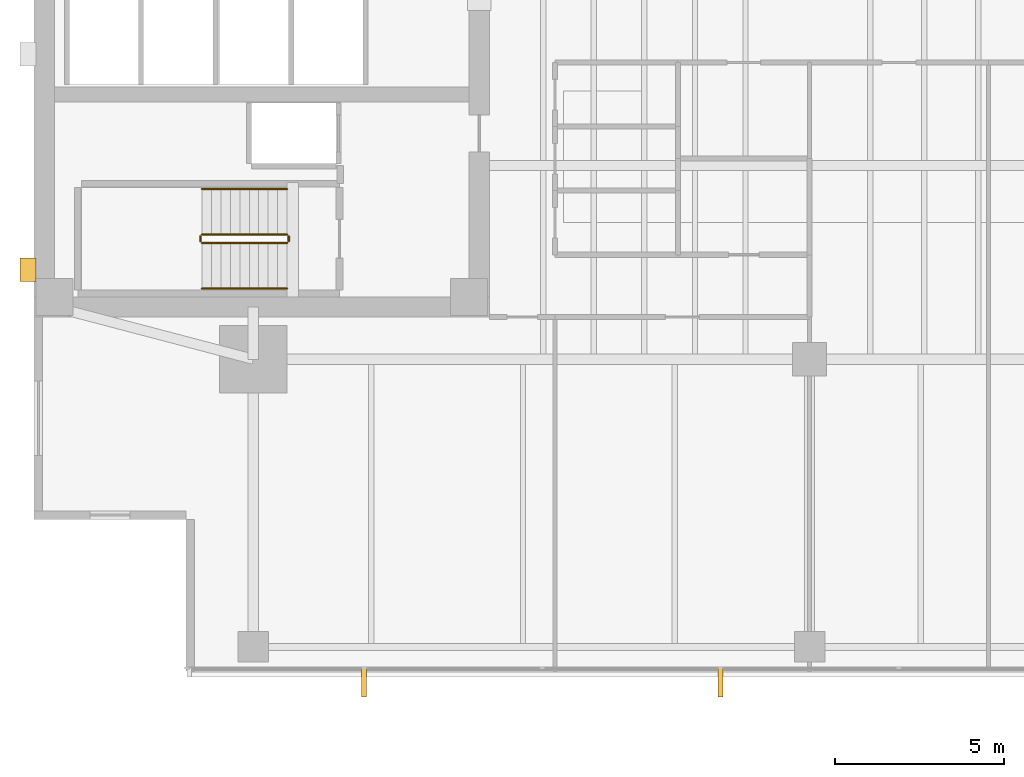
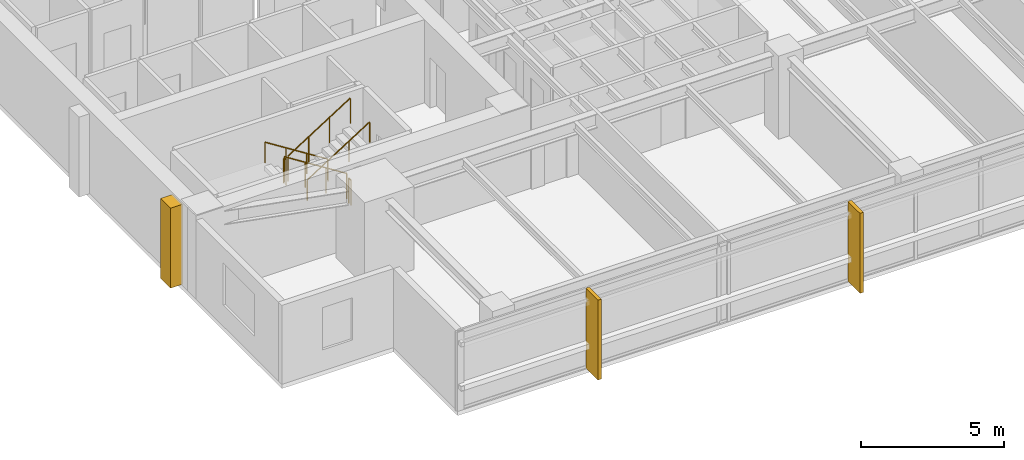
# One storey, part 11 of 14: 6 railings, 3 coverings.
"""IFC4 building model written with IfcOpenShell, lengths in metres."""

from ifc_helpers import new_model, si_unit, direction, frame, origin, origin_2d, place, context, subcontext, project, spatial, polyline, circle, outline, extrude, material, layer, layer_set, type_object, element, save


model = new_model("IFC4")

# Units and contexts
model_context = context("Model", 3, precision=1e-05, world=origin(), true_north=direction((0.0, 1.0)))
body_context = subcontext(model_context, "Body", "Model", "MODEL_VIEW")
ifc_project = project(units=[si_unit("LENGTHUNIT", "METRE"), si_unit("AREAUNIT", "SQUARE_METRE"), si_unit("VOLUMEUNIT", "CUBIC_METRE"), si_unit("PLANEANGLEUNIT", "RADIAN"), si_unit("MASSUNIT", "GRAM", prefix="KILO")], contexts=[model_context])

# Site, building, storey
site_placement = place(None, origin())
site = spatial("IfcSite", under=ifc_project, at=site_placement, CompositionType="ELEMENT")
building_placement = place(site_placement, origin())
building = spatial("IfcBuilding", under=site, at=building_placement, Name="Kinhvarn Gate Tower", CompositionType="ELEMENT")
storey_placement = place(building_placement, frame((0.0, 0.0, 130.64990234375)))
storey = spatial("IfcBuildingStorey", under=building, at=storey_placement, Name="L34", CompositionType="ELEMENT", Elevation=130.64990234375)

# Coverings
ifc_material_1 = material(Name="Fired architectural terracotta", Category="masonry")
ifc_layer_1 = layer(ifc_material_1, 0.139892578125)
ifc_layer_set_1 = layer_set([ifc_layer_1], Name="Fired architectural terracotta")
covering_type_1 = type_object("IfcCoveringType", Name="COV-FIN-850", PredefinedType="CLADDING", material=ifc_layer_set_1)
covering_1_placement = place(storey_placement, frame((0.0, 0.0, -0.02001953125)))
element("IfcCovering", 1, at=covering_1_placement, inside=storey, type_object=covering_type_1, Name="Vertical Terracotta Expressive Fin TFN-850 (L34)", PredefinedType="CLADDING", context=body_context, shape_type="SweptSolid", body=[
    extrude(outline(polyline([(14.2158203125, 3.580078125), (14.355712890625, 3.580078125), (14.355712890625, 2.72998046875), (14.2158203125, 2.72998046875), (14.2158203125, 3.580078125)])), origin(), (0.0, 0.0, 1.0), 3.41015625),
])
covering_2_placement = place(storey_placement, frame((0.0, 0.0, -0.02001953125)))
element("IfcCovering", 2, at=covering_2_placement, inside=storey, type_object=covering_type_1, Name="Vertical Terracotta Expressive Fin TFN-850 (L34)", PredefinedType="CLADDING", context=body_context, shape_type="SweptSolid", body=[
    extrude(outline(polyline([(24.787109375, 3.580078125), (24.927001953125, 3.580078125), (24.927001953125, 2.72998046875), (24.787109375, 2.72998046875), (24.787109375, 3.580078125)])), origin(), (0.0, 0.0, 1.0), 3.41015625),
])
ifc_material_2 = material(Name="Precast white architectural concrete C40/50", Category="concrete")
ifc_layer_2 = layer(ifc_material_2, 0.47998046875)
ifc_layer_set_2 = layer_set([ifc_layer_2], Name="Precast white architectural concrete C40/50")
covering_type_2 = type_object("IfcCoveringType", Name="COV-RIB-450", PredefinedType="CLADDING", material=ifc_layer_set_2)
covering_3_placement = place(storey_placement, frame((0.0, 0.0, -0.02001953125)))
element("IfcCovering", 3, at=covering_3_placement, inside=storey, type_object=covering_type_2, Name="West Core Sculptural Concrete Relief Rib CRB-450 (L34)", PredefinedType="CLADDING", context=body_context, shape_type="SweptSolid", body=[
    extrude(outline(polyline([(4.080078125, 15.050048828125), (4.56005859375, 15.050048828125), (4.56005859375, 15.75), (4.080078125, 15.75), (4.080078125, 15.050048828125)])), origin(), (0.0, 0.0, 1.0), 3.41015625),
])

# Railings
ifc_material_3 = material(Name="Steel S355", Category="steel")
railing_type_1 = type_object("IfcRailingType", Name="RL-ST-GRD", PredefinedType="BALUSTRADE", material=ifc_material_3)
railing_1_placement = place(storey_placement, frame((12.0, 16.449951171875, 0.177490234375)))
element("IfcRailing", 4, at=railing_1_placement, inside=storey, type_object=railing_type_1, Name="L34 ST1 stair guard 1", PredefinedType="BALUSTRADE", context=body_context, shape_type="SweptSolid", body=[
    extrude(circle(Radius=0.02392578125, at=origin_2d()), frame((0.0, 0.0, 1.076171875), z_axis=(-0.84456994832, 0.0, 0.535445237532), x_axis=(0.0, -1.0, 0.0)), (0.0, 0.0, 1.0), 2.98388671875),
    extrude(circle(Radius=0.02099609375, at=origin_2d()), origin(), (0.0, 0.0, 1.0), 1.052001953125),
    extrude(circle(Radius=0.02099609375, at=origin_2d()), frame((-0.840087890625, 0.0, 0.532470703125)), (0.0, 0.0, 1.0), 1.052001953125),
    extrude(circle(Radius=0.02099609375, at=origin_2d()), frame((-1.679931640625, 0.0, 1.065185546875)), (0.0, 0.0, 1.0), 1.052001953125),
    extrude(circle(Radius=0.02099609375, at=origin_2d()), frame((-2.52001953125, 0.0, 1.59765625)), (0.0, 0.0, 1.0), 1.052001953125),
])
railing_2_placement = place(storey_placement, frame((9.429931640625, 16.39990234375, 1.775146484375)))
element("IfcRailing", 5, at=railing_2_placement, inside=storey, type_object=railing_type_1, Name="L34 ST1 stair guard 2", PredefinedType="BALUSTRADE", context=body_context, shape_type="SweptSolid", body=[
    extrude(circle(Radius=0.02392578125, at=origin_2d()), frame((0.0, 0.0, 1.076171875), z_axis=(0.0, -1.0, 0.0), x_axis=(1.0, 0.0, 0.0)), (0.0, 0.0, 1.0), 0.14990234375),
    extrude(circle(Radius=0.02099609375, at=origin_2d()), origin(), (0.0, 0.0, 1.0), 1.052001953125),
    extrude(circle(Radius=0.02099609375, at=origin_2d()), frame((0.0, -0.14990234375, 0.0)), (0.0, 0.0, 1.0), 1.052001953125),
])
railing_3_placement = place(storey_placement, frame((9.47998046875, 16.199951171875, 1.95263671875)))
element("IfcRailing", 6, at=railing_3_placement, inside=storey, type_object=railing_type_1, Name="L34 ST1 stair guard 3", PredefinedType="BALUSTRADE", context=body_context, shape_type="SweptSolid", body=[
    extrude(circle(Radius=0.02392578125, at=origin_2d()), frame((0.0, 0.0, 1.076171875), z_axis=(0.84460694969, 0.0, 0.535386869969), x_axis=(0.0, 1.0, 0.0)), (0.0, 0.0, 1.0), 2.983642578125),
    extrude(circle(Radius=0.02099609375, at=origin_2d()), origin(), (0.0, 0.0, 1.0), 1.052001953125),
    extrude(circle(Radius=0.02099609375, at=origin_2d()), frame((0.840087890625, 0.0, 0.532470703125)), (0.0, 0.0, 1.0), 1.052001953125),
    extrude(circle(Radius=0.02099609375, at=origin_2d()), frame((1.679931640625, 0.0, 1.06494140625)), (0.0, 0.0, 1.0), 1.052001953125),
    extrude(circle(Radius=0.02099609375, at=origin_2d()), frame((2.52001953125, 0.0, 1.597412109375)), (0.0, 0.0, 1.0), 1.052001953125),
])
railing_4_placement = place(storey_placement, frame((12.050048828125, 16.39990234375, 0.0)))
element("IfcRailing", 7, at=railing_4_placement, inside=storey, type_object=railing_type_1, Name="L34 ST1 stair guard 4", PredefinedType="BALUSTRADE", context=body_context, shape_type="SweptSolid", body=[
    extrude(circle(Radius=0.02392578125, at=origin_2d()), frame((0.0, 0.0, 1.076171875), z_axis=(0.0, -1.0, 0.0), x_axis=(1.0, 0.0, 0.0)), (0.0, 0.0, 1.0), 0.14990234375),
    extrude(circle(Radius=0.02099609375, at=origin_2d()), origin(), (0.0, 0.0, 1.0), 1.052001953125),
    extrude(circle(Radius=0.02099609375, at=origin_2d()), frame((0.0, -0.14990234375, 0.0)), (0.0, 0.0, 1.0), 1.052001953125),
])
railing_type_2 = type_object("IfcRailingType", Name="RL-ST-HND", PredefinedType="HANDRAIL", material=ifc_material_3)
railing_5_placement = place(storey_placement, frame((12.0, 17.800048828125, 0.177490234375)))
element("IfcRailing", 8, at=railing_5_placement, inside=storey, type_object=railing_type_2, Name="L34 ST1 stair handrail 1", PredefinedType="HANDRAIL", context=body_context, shape_type="SweptSolid", body=[
    extrude(circle(Radius=0.02392578125, at=origin_2d()), frame((0.0, 0.0, 0.8759765625), z_axis=(-0.84456994832, 0.0, 0.535445237532), x_axis=(0.0, -1.0, 0.0)), (0.0, 0.0, 1.0), 2.98388671875),
    extrude(circle(Radius=0.02099609375, at=origin_2d()), origin(), (0.0, 0.0, 1.0), 0.851806640625),
    extrude(circle(Radius=0.02099609375, at=origin_2d()), frame((-0.840087890625, 0.0, 0.532470703125)), (0.0, 0.0, 1.0), 0.851806640625),
    extrude(circle(Radius=0.02099609375, at=origin_2d()), frame((-1.679931640625, 0.0, 1.065185546875)), (0.0, 0.0, 1.0), 0.851806640625),
    extrude(circle(Radius=0.02099609375, at=origin_2d()), frame((-2.52001953125, 0.0, 1.59765625)), (0.0, 0.0, 1.0), 0.851806640625),
])
railing_6_placement = place(storey_placement, frame((9.47998046875, 14.85009765625, 1.95263671875)))
element("IfcRailing", 9, at=railing_6_placement, inside=storey, type_object=railing_type_2, Name="L34 ST1 stair handrail 2", PredefinedType="HANDRAIL", context=body_context, shape_type="SweptSolid", body=[
    extrude(circle(Radius=0.02392578125, at=origin_2d()), frame((0.0, 0.0, 0.8759765625), z_axis=(0.84460694969, 0.0, 0.535386869969), x_axis=(0.0, 1.0, 0.0)), (0.0, 0.0, 1.0), 2.983642578125),
    extrude(circle(Radius=0.02099609375, at=origin_2d()), origin(), (0.0, 0.0, 1.0), 0.851806640625),
    extrude(circle(Radius=0.02099609375, at=origin_2d()), frame((0.840087890625, 0.0, 0.532470703125)), (0.0, 0.0, 1.0), 0.851806640625),
    extrude(circle(Radius=0.02099609375, at=origin_2d()), frame((1.679931640625, 0.0, 1.06494140625)), (0.0, 0.0, 1.0), 0.851806640625),
    extrude(circle(Radius=0.02099609375, at=origin_2d()), frame((2.52001953125, 0.0, 1.597412109375)), (0.0, 0.0, 1.0), 0.851806640625),
])

save(model, "model.ifc")
